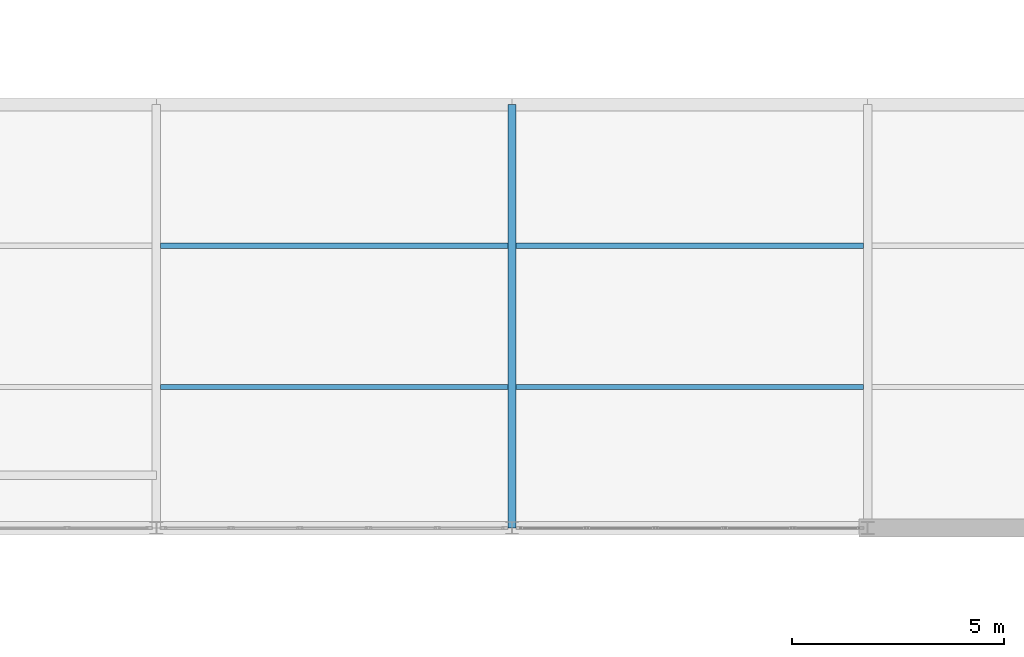
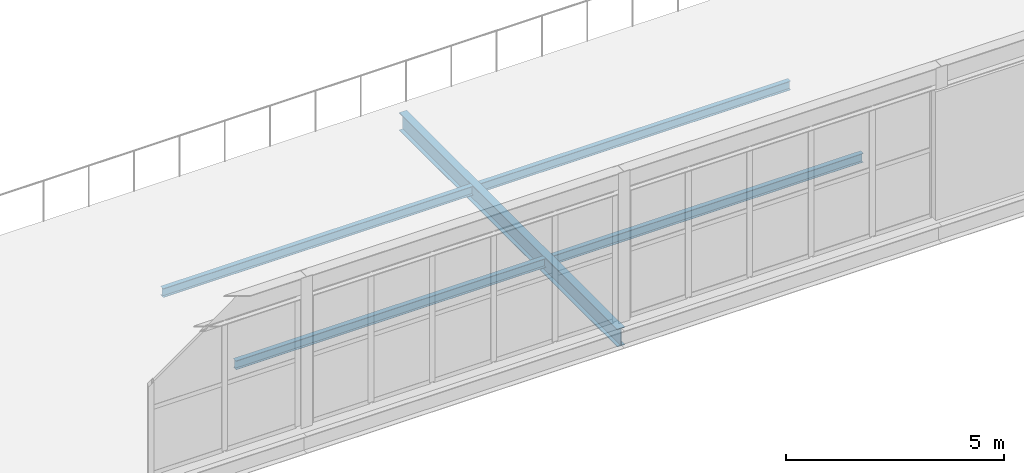
# One storey, part 99 of 218: 5 beams.
"""IFC4 building model written with IfcOpenShell, lengths in metres."""

from ifc_helpers import new_model, si_unit, direction, frame, origin, origin_2d, place, context, subcontext, project, spatial, i_section, extrude, material, material_profile, profile_set, type_object, element, save


model = new_model("IFC4")

# Units and contexts
model_context = context("Model", 3, precision=1e-05, world=origin(), true_north=direction((0.0, 1.0)))
body_context = subcontext(model_context, "Body", "Model", "MODEL_VIEW")
ifc_project = project(units=[si_unit("LENGTHUNIT", "METRE"), si_unit("AREAUNIT", "SQUARE_METRE"), si_unit("VOLUMEUNIT", "CUBIC_METRE"), si_unit("PLANEANGLEUNIT", "RADIAN"), si_unit("MASSUNIT", "GRAM", prefix="KILO")], contexts=[model_context])

# Site, building, storey
site_placement = place(None, origin())
site = spatial("IfcSite", under=ifc_project, at=site_placement, CompositionType="ELEMENT")
building_placement = place(site_placement, origin())
building = spatial("IfcBuilding", under=site, at=building_placement, Name="Kazenagashi Tramway Depot", CompositionType="ELEMENT")
storey_placement = place(building_placement, frame((0.0, 0.0, 6.0)))
storey = spatial("IfcBuildingStorey", under=building, at=storey_placement, Name="L02", CompositionType="ELEMENT", Elevation=6.0)

# Beams
ifc_material_1 = material(Name="Steel SN490B", Category="steel")
ifc_material_profile_1 = material_profile(ifc_material_1, i_section(OverallWidth=0.2, OverallDepth=0.5, WebThickness=0.01, FlangeThickness=0.016, at=origin_2d()), Name="H-500x200x10x16")
ifc_profile_set_1 = profile_set([ifc_material_profile_1], Name="Steel SN490B")
beam_type_1 = type_object("IfcBeamType", Name="G-05", PredefinedType="BEAM", material=ifc_profile_set_1)
beam_placement = place(storey_placement, frame((103.6, 70.0, -0.515), z_axis=(0.0, 1.0, 0.0), x_axis=(-1.0, 0.0, 0.0)))
element("IfcBeam", 1, at=beam_placement, inside=storey, type_object=beam_type_1, Name="Beam G-05 BM-1757", PredefinedType="BEAM", context=body_context, shape_type="SweptSolid", body=[
    extrude(i_section(OverallWidth=0.2, OverallDepth=0.5, WebThickness=0.01, FlangeThickness=0.016, at=origin_2d()), origin(), (0.0, 0.0, 1.0), 10.0),
])
ifc_material_2 = material(Name="Steel SN400B", Category="steel")
ifc_material_profile_2 = material_profile(ifc_material_2, i_section(OverallWidth=0.125, OverallDepth=0.25, WebThickness=0.006, FlangeThickness=0.009, at=origin_2d()), Name="H-250x125x6x9")
ifc_profile_set_2 = profile_set([ifc_material_profile_2], Name="Steel SN400B")
beam_type_2 = type_object("IfcBeamType", Name="J-03", PredefinedType="JOIST", material=ifc_profile_set_2)
for number, where, z_axis, x_axis, name in (
    (2, (95.3, 73.333, -0.39), (1.0, 0.0, 0.0), (0.0, 1.0, 0.0), "Beam J-03 BM-1755"),
    (3, (95.3, 76.667, -0.39), (1.0, 0.0, 0.0), (0.0, 1.0, 0.0), "Beam J-03 BM-1756"),
    (4, (103.7, 73.333, -0.39), (1.0, 0.0, 0.0), (0.0, 1.0, 0.0), "Beam J-03 BM-1758"),
    (5, (103.7, 76.667, -0.39), (1.0, 0.0, 0.0), (0.0, 1.0, 0.0), "Beam J-03 BM-1759"),
):
    element("IfcBeam", number, at=place(storey_placement, frame(where, z_axis=z_axis, x_axis=x_axis)), inside=storey, type_object=beam_type_2, Name=name, PredefinedType="JOIST", context=body_context, shape_type="SweptSolid", body=[
        extrude(i_section(OverallWidth=0.125, OverallDepth=0.25, WebThickness=0.006, FlangeThickness=0.009, at=origin_2d()), origin(), (0.0, 0.0, 1.0), 8.2),
    ])

save(model, "model.ifc")
